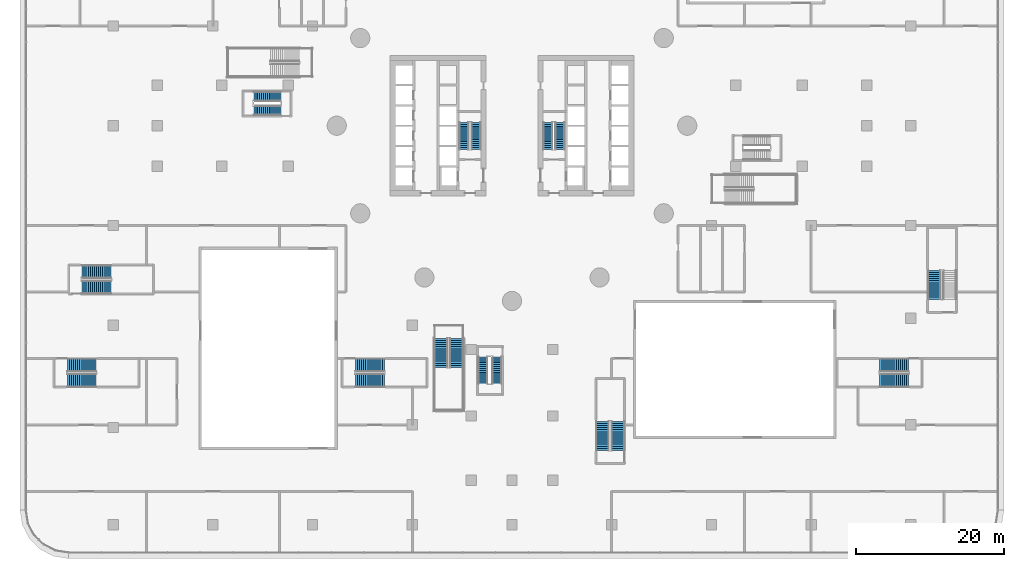
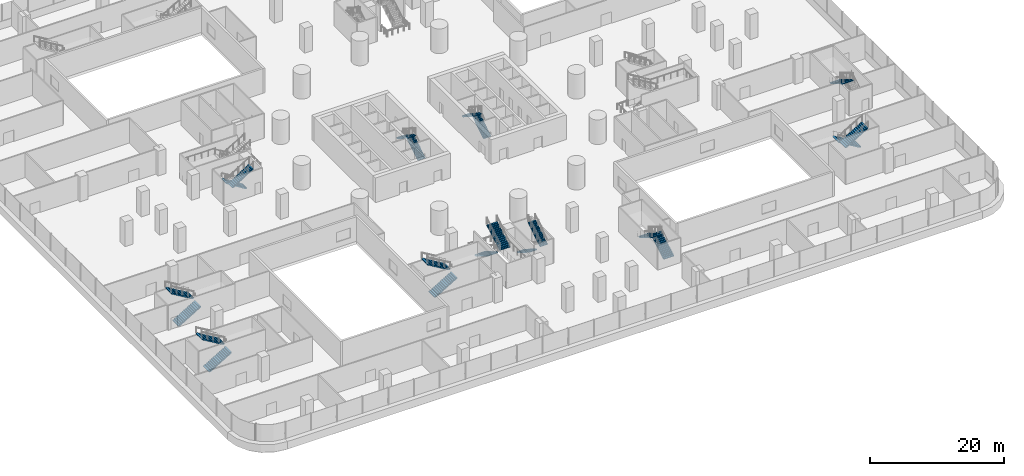
# One storey, part 31 of 44: 21 stair flights, 11 elements without a shape of their own.
"""IFC4 building model written with IfcOpenShell, lengths in metres."""

import ifcopenshell
import ifcopenshell.guid

model = None  # the IFC model being written
_history = None  # IfcOwnerHistory: only IFC2X3 demands one
_inside = {}  # id of a spatial element -> (the spatial element, [elements in it])
_under = {}  # id of a project, library or spatial element -> (it, [spatial elements below it])
_declared = {}  # id of a project -> (the project, [libraries it declares])
_typed = {}  # id of a type object -> (the type object, [elements of that type])
_made_of = {}  # id of a material, layer set ... -> (it, [elements and type objects made of it])


def new_model(schema):
    """Start an empty IFC model of exactly this schema.

    Asked for "IFC4X3", IfcOpenShell would pick the latest addendum, in which some entities
    have other attributes; the version numbers below select the first issue.
    IFC2X3 requires an IfcOwnerHistory on every rooted entity: one is made here for all.
    """
    global model, _history
    if schema == "IFC4X3":
        model = ifcopenshell.file(schema_version=(4, 3, 0, 0))
    else:
        model = ifcopenshell.file(schema=schema)
    _inside.clear()
    _under.clear()
    _declared.clear()
    _typed.clear()
    _made_of.clear()
    _history = None
    if model.schema == "IFC2X3":
        org = make("IfcOrganization", Name="unknown")
        user = make(
            "IfcPersonAndOrganization",
            ThePerson=make("IfcPerson", FamilyName="unknown"),
            TheOrganization=org,
        )
        app = make(
            "IfcApplication",
            ApplicationDeveloper=org,
            Version="unknown",
            ApplicationFullName="unknown",
            ApplicationIdentifier="unknown",
        )
        _history = make(
            "IfcOwnerHistory",
            OwningUser=user,
            OwningApplication=app,
            ChangeAction="ADDED",
            CreationDate=0,
        )
    return model


def make(cls, **values):
    """One entity of the class cls with the attributes given. An attribute that is None is left unset."""
    return model.create_entity(
        cls, **{name: value for name, value in values.items() if value is not None}
    )


def rooted(cls, **values):
    """An entity with a GlobalId (a new one), such as an element, a storey or a relation."""
    return make(cls, GlobalId=ifcopenshell.guid.new(), OwnerHistory=_history, **values)


def si_unit(unit_type, name, prefix=None):
    """IfcSIUnit, for example si_unit("LENGTHUNIT", "METRE", prefix="MILLI")."""
    return make("IfcSIUnit", UnitType=unit_type, Prefix=prefix, Name=name)


def assignment(units):
    """IfcUnitAssignment: the units of a project."""
    return None if units is None else make("IfcUnitAssignment", Units=units)


def point(xyz):
    """IfcCartesianPoint."""
    return None if xyz is None else make("IfcCartesianPoint", Coordinates=xyz)


def direction(xyz):
    """IfcDirection."""
    return None if xyz is None else make("IfcDirection", DirectionRatios=xyz)


def frame(location, z_axis=None, x_axis=None):
    """IfcAxis2Placement3D, a coordinate frame: its origin and axes. An axis left out is left unset."""
    return make(
        "IfcAxis2Placement3D",
        Location=point(location),
        Axis=direction(z_axis),
        RefDirection=direction(x_axis),
    )


def origin():
    """The frame at (0, 0, 0) with its axes left unset."""
    return frame((0.0, 0.0, 0.0))


def place(relative_to, where):
    """IfcLocalPlacement: puts the frame where relative to a parent placement (None: the world)."""
    return make(
        "IfcLocalPlacement", PlacementRelTo=relative_to, RelativePlacement=where
    )


def context(
    kind, dimensions, precision=None, world=None, true_north=None, identifier=None
):
    """IfcGeometricRepresentationContext, for example the 3D "Model" context."""
    return make(
        "IfcGeometricRepresentationContext",
        ContextIdentifier=identifier,
        ContextType=kind,
        CoordinateSpaceDimension=dimensions,
        Precision=precision,
        WorldCoordinateSystem=world,
        TrueNorth=true_north,
    )


def subcontext(parent, identifier, kind, view, scale=None):
    """IfcGeometricRepresentationSubContext, for example "Body" below "Model"."""
    return make(
        "IfcGeometricRepresentationSubContext",
        ContextIdentifier=identifier,
        ContextType=kind,
        ParentContext=parent,
        TargetScale=scale,
        TargetView=view,
    )


def project(units=None, contexts=None):
    """IfcProject with its units and contexts."""
    return rooted(
        "IfcProject",
        Name="project",
        RepresentationContexts=contexts,
        UnitsInContext=assignment(units),
    )


def spatial(cls, under=None, at=None, **own):
    """A site, building, storey or space (cls), placed at a placement, below another one or the project."""
    s = rooted(cls, ObjectPlacement=at, **own)
    if under is not None:
        _under.setdefault(under.id(), (under, []))[1].append(s)
    return s


def polyline(points):
    """IfcPolyline through the points."""
    return make("IfcPolyline", Points=[point(p) for p in points])


def outline(outer, holes=None, kind="AREA"):
    """IfcArbitraryClosedProfileDef: a profile drawn as a closed curve; with holes, ...WithVoids."""
    if holes is None:
        return make("IfcArbitraryClosedProfileDef", ProfileType=kind, OuterCurve=outer)
    return make(
        "IfcArbitraryProfileDefWithVoids",
        ProfileType=kind,
        OuterCurve=outer,
        InnerCurves=holes,
    )


def extrude(swept, where, along, depth):
    """IfcExtrudedAreaSolid: the profile swept, set in the frame where, extruded along a direction by depth."""
    return make(
        "IfcExtrudedAreaSolid",
        SweptArea=swept,
        Position=where,
        ExtrudedDirection=direction(along),
        Depth=depth,
    )


def shape(context_of_items, identifier, shape_type, items):
    """IfcShapeRepresentation: the items that make up one representation, for example the "Body"."""
    return make(
        "IfcShapeRepresentation",
        ContextOfItems=context_of_items,
        RepresentationIdentifier=identifier,
        RepresentationType=shape_type,
        Items=items,
    )


def material(Name=None, Category=None):
    """IfcMaterial."""
    return make("IfcMaterial", Name=Name, Category=Category)


def made_of(thing, what):
    """Note that an element or type object is made of a material, layer set ...; save() writes the relation."""
    if what is not None:
        _made_of.setdefault(what.id(), (what, []))[1].append(thing)
    return thing


def type_object(cls, material=None, **own):
    """A type object (cls), such as IfcWallType, which elements share."""
    return made_of(rooted(cls, **own), material)


def element(
    cls,
    number,
    at=None,
    inside=None,
    cuts=None,
    type_object=None,
    material=None,
    context=None,
    identifier="Body",
    shape_type=None,
    held_by="IfcProductDefinitionShape",
    body=None,
    shapes=None,
    **own,
):
    """One element of the class cls, such as IfcWall. Its Tag is "e" and its number.

    at: its placement. inside: the storey or other place that contains it. cuts: it is an
    opening in that element (IfcRelVoidsElement). A single representation is given by context,
    identifier, shape_type and body (its items); several are given by shapes. held_by: the class
    of the entity that holds the representations. save() writes the other relations.
    """
    e = rooted(cls, Tag="e%d" % number, ObjectPlacement=at, **own)
    if body is not None:
        shapes = [shape(context, identifier, shape_type, body)]
    if shapes is not None:
        e.Representation = make(held_by, Representations=shapes)
    if inside is not None:
        _inside.setdefault(inside.id(), (inside, []))[1].append(e)
    if cuts is not None:
        rooted(
            "IfcRelVoidsElement", RelatingBuildingElement=cuts, RelatedOpeningElement=e
        )
    if type_object is not None:
        _typed.setdefault(type_object.id(), (type_object, []))[1].append(e)
    return made_of(e, material)


def aggregate(whole, parts):
    """IfcRelAggregates: a whole, such as a stair, and the parts it consists of."""
    return rooted("IfcRelAggregates", RelatingObject=whole, RelatedObjects=parts)


def save(model, path):
    """Write the relations noted so far, then the file.

    IfcRelAggregates (storeys below a building ...), IfcRelContainedInSpatialStructure (elements
    in a storey), IfcRelDefinesByType, IfcRelAssociatesMaterial and IfcRelDeclares: one each for
    every whole, place, type object, material and project.
    """
    for whole, parts in _under.values():
        aggregate(whole, parts)
    for where, things in _inside.values():
        rooted(
            "IfcRelContainedInSpatialStructure",
            RelatedElements=things,
            RelatingStructure=where,
        )
    for kind, things in _typed.values():
        rooted("IfcRelDefinesByType", RelatedObjects=things, RelatingType=kind)
    for what, things in _made_of.values():
        rooted("IfcRelAssociatesMaterial", RelatedObjects=things, RelatingMaterial=what)
    for by, libraries in _declared.values():
        rooted("IfcRelDeclares", RelatingContext=by, RelatedDefinitions=libraries)
    model.write(path)


model = new_model("IFC4")

# Units and contexts
model_context = context("Model", 3, precision=1e-05, world=origin(), true_north=direction((0.0, 1.0)))
body_context = subcontext(model_context, "Body", "Model", "MODEL_VIEW")
ifc_project = project(units=[si_unit("LENGTHUNIT", "METRE"), si_unit("AREAUNIT", "SQUARE_METRE"), si_unit("VOLUMEUNIT", "CUBIC_METRE"), si_unit("PLANEANGLEUNIT", "RADIAN"), si_unit("MASSUNIT", "GRAM", prefix="KILO")], contexts=[model_context])

# Site, building, storey
site_placement = place(None, origin())
site = spatial("IfcSite", under=ifc_project, at=site_placement, CompositionType="ELEMENT")
building_placement = place(site_placement, origin())
building = spatial("IfcBuilding", under=site, at=building_placement, Name="Tamarind Cross Interchange Tower", CompositionType="ELEMENT")
storey_placement = place(building_placement, frame((0.0, 0.0, 15.0)))
storey = spatial("IfcBuildingStorey", under=building, at=storey_placement, Name="L02", CompositionType="ELEMENT", Elevation=15.0)

# Stair, stair flights
ifc_material_1 = material(Name="Exit stair")
stair_type_1 = type_object("IfcStairType", Name="Exit stair", PredefinedType="HALF_TURN_STAIR", material=ifc_material_1)
stair_1_placement = place(storey_placement, origin())
stair_1 = element("IfcStair", 1, at=stair_1_placement, inside=storey, type_object=stair_type_1, Name="L02 exit stair ST1", PredefinedType="HALF_TURN_STAIR")
ifc_material_2 = material(Name="Exit stair flight")
stair_flight_type_1 = type_object("IfcStairFlightType", Name="Exit stair flight", PredefinedType="STRAIGHT", material=ifc_material_2)
stair_flight_1_placement = place(storey_placement, frame((-4.85009765625, -3.199951171875, 0.0), z_axis=(0.0, 0.0, 1.0), x_axis=(0.0, 1.0, 0.0)))
stair_flight_1 = element("IfcStairFlight", 2, at=stair_flight_1_placement, type_object=stair_flight_type_1, Name="ST1 flight 1", NumberOfRisers=15, NumberOfTreads=14, PredefinedType="STRAIGHT", RiserHeight=0.166666667, TreadLength=0.26, context=body_context, shape_type="SweptSolid", body=[
    extrude(outline(polyline([(0.0, 0.0), (0.0, 0.166748046875), (0.260009765625, 0.166748046875), (0.260009765625, 0.333251953125), (0.52001953125, 0.333251953125), (0.52001953125, 0.5), (0.780029296875, 0.5), (0.780029296875, 0.666748046875), (1.0400390625, 0.666748046875), (1.0400390625, 0.833251953125), (1.300048828125, 0.833251953125), (1.300048828125, 1.0), (1.56005859375, 1.0), (1.56005859375, 1.166748046875), (1.820068359375, 1.166748046875), (1.820068359375, 1.333251953125), (2.080078125, 1.333251953125), (2.080078125, 1.5), (2.340087890625, 1.5), (2.340087890625, 1.666748046875), (2.60009765625, 1.666748046875), (2.60009765625, 1.833251953125), (2.860107421875, 1.833251953125), (2.860107421875, 2.0), (3.1201171875, 2.0), (3.1201171875, 2.166748046875), (3.3798828125, 2.166748046875), (3.3798828125, 2.333251953125), (3.639892578125, 2.333251953125), (3.639892578125, 2.5), (3.639892578125, 2.1552734375), (0.27783203125, 0.0), (0.0, 0.0)])), frame((0.0, 0.64990234375, 0.0), z_axis=(0.0, -1.0, 0.0), x_axis=(1.0, 0.0, 0.0)), (0.0, 0.0, 1.0), 1.300048828125),
])
stair_flight_2_placement = place(storey_placement, frame((-6.5, 0.43994140625, 2.5), z_axis=(0.0, 0.0, 1.0), x_axis=(0.0, -1.0, 0.0)))
stair_flight_2 = element("IfcStairFlight", 3, at=stair_flight_2_placement, type_object=stair_flight_type_1, Name="ST1 flight 2", NumberOfRisers=15, NumberOfTreads=14, PredefinedType="STRAIGHT", RiserHeight=0.166666667, TreadLength=0.26, context=body_context, shape_type="SweptSolid", body=[
    extrude(outline(polyline([(0.0, 0.0), (0.0, 0.166748046875), (0.260009765625, 0.166748046875), (0.260009765625, 0.333251953125), (0.52001953125, 0.333251953125), (0.52001953125, 0.5), (0.780029296875, 0.5), (0.780029296875, 0.666748046875), (1.0400390625, 0.666748046875), (1.0400390625, 0.833251953125), (1.300048828125, 0.833251953125), (1.300048828125, 1.0), (1.56005859375, 1.0), (1.56005859375, 1.166748046875), (1.820068359375, 1.166748046875), (1.820068359375, 1.333251953125), (2.080078125, 1.333251953125), (2.080078125, 1.5), (2.340087890625, 1.5), (2.340087890625, 1.666748046875), (2.60009765625, 1.666748046875), (2.60009765625, 1.833251953125), (2.860107421875, 1.833251953125), (2.860107421875, 2.0), (3.1201171875, 2.0), (3.1201171875, 2.166748046875), (3.3798828125, 2.166748046875), (3.3798828125, 2.333251953125), (3.639892578125, 2.333251953125), (3.639892578125, 2.5), (3.639892578125, 2.1552734375), (0.27783203125, 0.0), (0.0, 0.0)])), frame((0.0, 0.64990234375, 0.0), z_axis=(0.0, -1.0, 0.0), x_axis=(1.0, 0.0, 0.0)), (0.0, 0.0, 1.0), 1.300048828125),
])
aggregate(stair_1, [stair_flight_1, stair_flight_2])

stair_2_placement = place(storey_placement, origin())
stair_2 = element("IfcStair", 4, at=stair_2_placement, inside=storey, type_object=stair_type_1, Name="L02 exit stair ST2", PredefinedType="HALF_TURN_STAIR")
stair_flight_3_placement = place(storey_placement, frame((6.5, -3.199951171875, 0.0), z_axis=(0.0, 0.0, 1.0), x_axis=(0.0, 1.0, 0.0)))
stair_flight_3 = element("IfcStairFlight", 5, at=stair_flight_3_placement, type_object=stair_flight_type_1, Name="ST2 flight 1", NumberOfRisers=15, NumberOfTreads=14, PredefinedType="STRAIGHT", RiserHeight=0.166666667, TreadLength=0.26, context=body_context, shape_type="SweptSolid", body=[
    extrude(outline(polyline([(0.0, 0.0), (0.0, 0.166748046875), (0.260009765625, 0.166748046875), (0.260009765625, 0.333251953125), (0.52001953125, 0.333251953125), (0.52001953125, 0.5), (0.780029296875, 0.5), (0.780029296875, 0.666748046875), (1.0400390625, 0.666748046875), (1.0400390625, 0.833251953125), (1.300048828125, 0.833251953125), (1.300048828125, 1.0), (1.56005859375, 1.0), (1.56005859375, 1.166748046875), (1.820068359375, 1.166748046875), (1.820068359375, 1.333251953125), (2.080078125, 1.333251953125), (2.080078125, 1.5), (2.340087890625, 1.5), (2.340087890625, 1.666748046875), (2.60009765625, 1.666748046875), (2.60009765625, 1.833251953125), (2.860107421875, 1.833251953125), (2.860107421875, 2.0), (3.1201171875, 2.0), (3.1201171875, 2.166748046875), (3.3798828125, 2.166748046875), (3.3798828125, 2.333251953125), (3.639892578125, 2.333251953125), (3.639892578125, 2.5), (3.639892578125, 2.1552734375), (0.27783203125, 0.0), (0.0, 0.0)])), frame((0.0, 0.64990234375, 0.0), z_axis=(0.0, -1.0, 0.0), x_axis=(1.0, 0.0, 0.0)), (0.0, 0.0, 1.0), 1.300048828125),
])
stair_flight_4_placement = place(storey_placement, frame((4.85009765625, 0.43994140625, 2.5), z_axis=(0.0, 0.0, 1.0), x_axis=(0.0, -1.0, 0.0)))
stair_flight_4 = element("IfcStairFlight", 6, at=stair_flight_4_placement, type_object=stair_flight_type_1, Name="ST2 flight 2", NumberOfRisers=15, NumberOfTreads=14, PredefinedType="STRAIGHT", RiserHeight=0.166666667, TreadLength=0.26, context=body_context, shape_type="SweptSolid", body=[
    extrude(outline(polyline([(0.0, 0.0), (0.0, 0.166748046875), (0.260009765625, 0.166748046875), (0.260009765625, 0.333251953125), (0.52001953125, 0.333251953125), (0.52001953125, 0.5), (0.780029296875, 0.5), (0.780029296875, 0.666748046875), (1.0400390625, 0.666748046875), (1.0400390625, 0.833251953125), (1.300048828125, 0.833251953125), (1.300048828125, 1.0), (1.56005859375, 1.0), (1.56005859375, 1.166748046875), (1.820068359375, 1.166748046875), (1.820068359375, 1.333251953125), (2.080078125, 1.333251953125), (2.080078125, 1.5), (2.340087890625, 1.5), (2.340087890625, 1.666748046875), (2.60009765625, 1.666748046875), (2.60009765625, 1.833251953125), (2.860107421875, 1.833251953125), (2.860107421875, 2.0), (3.1201171875, 2.0), (3.1201171875, 2.166748046875), (3.3798828125, 2.166748046875), (3.3798828125, 2.333251953125), (3.639892578125, 2.333251953125), (3.639892578125, 2.5), (3.639892578125, 2.1552734375), (0.27783203125, 0.0), (0.0, 0.0)])), frame((0.0, 0.64990234375, 0.0), z_axis=(0.0, -1.0, 0.0), x_axis=(1.0, 0.0, 0.0)), (0.0, 0.0, 1.0), 1.300048828125),
])
aggregate(stair_2, [stair_flight_3, stair_flight_4])

stair_3_placement = place(storey_placement, origin())
stair_3 = element("IfcStair", 7, at=stair_3_placement, inside=storey, type_object=stair_type_1, Name="L02 exit stair ST5", PredefinedType="HALF_TURN_STAIR")
stair_flight_5_placement = place(storey_placement, frame((-31.300048828125, 3.949951171875, 0.0), z_axis=(0.0, 0.0, 1.0), x_axis=(-1.0, 0.0, 0.0)))
stair_flight_5 = element("IfcStairFlight", 8, at=stair_flight_5_placement, type_object=stair_flight_type_1, Name="ST5 flight 1", NumberOfRisers=15, NumberOfTreads=14, PredefinedType="STRAIGHT", RiserHeight=0.166666667, TreadLength=0.26, context=body_context, shape_type="SweptSolid", body=[
    extrude(outline(polyline([(0.0, 0.0), (0.0, 0.166748046875), (0.260009765625, 0.166748046875), (0.260009765625, 0.333251953125), (0.52001953125, 0.333251953125), (0.52001953125, 0.5), (0.780029296875, 0.5), (0.780029296875, 0.666748046875), (1.0400390625, 0.666748046875), (1.0400390625, 0.833251953125), (1.300048828125, 0.833251953125), (1.300048828125, 1.0), (1.56005859375, 1.0), (1.56005859375, 1.166748046875), (1.820068359375, 1.166748046875), (1.820068359375, 1.333251953125), (2.080078125, 1.333251953125), (2.080078125, 1.5), (2.340087890625, 1.5), (2.340087890625, 1.666748046875), (2.60009765625, 1.666748046875), (2.60009765625, 1.833251953125), (2.860107421875, 1.833251953125), (2.860107421875, 2.0), (3.1201171875, 2.0), (3.1201171875, 2.166748046875), (3.3798828125, 2.166748046875), (3.3798828125, 2.333251953125), (3.639892578125, 2.333251953125), (3.639892578125, 2.5), (3.639892578125, 2.1552734375), (0.27783203125, 0.0), (0.0, 0.0)])), frame((0.0, 0.64990234375, 0.0), z_axis=(0.0, -1.0, 0.0), x_axis=(1.0, 0.0, 0.0)), (0.0, 0.0, 1.0), 1.300048828125),
])
stair_flight_6_placement = place(storey_placement, frame((-34.93994140625, 2.050048828125, 2.5), z_axis=(0.0, 0.0, 1.0), x_axis=(1.0, 0.0, 0.0)))
stair_flight_6 = element("IfcStairFlight", 9, at=stair_flight_6_placement, type_object=stair_flight_type_1, Name="ST5 flight 2", NumberOfRisers=15, NumberOfTreads=14, PredefinedType="STRAIGHT", RiserHeight=0.166666667, TreadLength=0.26, context=body_context, shape_type="SweptSolid", body=[
    extrude(outline(polyline([(0.0, 0.0), (0.0, 0.166748046875), (0.260009765625, 0.166748046875), (0.260009765625, 0.333251953125), (0.52001953125, 0.333251953125), (0.52001953125, 0.5), (0.780029296875, 0.5), (0.780029296875, 0.666748046875), (1.0400390625, 0.666748046875), (1.0400390625, 0.833251953125), (1.300048828125, 0.833251953125), (1.300048828125, 1.0), (1.56005859375, 1.0), (1.56005859375, 1.166748046875), (1.820068359375, 1.166748046875), (1.820068359375, 1.333251953125), (2.080078125, 1.333251953125), (2.080078125, 1.5), (2.340087890625, 1.5), (2.340087890625, 1.666748046875), (2.60009765625, 1.666748046875), (2.60009765625, 1.833251953125), (2.860107421875, 1.833251953125), (2.860107421875, 2.0), (3.1201171875, 2.0), (3.1201171875, 2.166748046875), (3.3798828125, 2.166748046875), (3.3798828125, 2.333251953125), (3.639892578125, 2.333251953125), (3.639892578125, 2.5), (3.639892578125, 2.1552734375), (0.27783203125, 0.0), (0.0, 0.0)])), frame((0.0, 0.64990234375, 0.0), z_axis=(0.0, -1.0, 0.0), x_axis=(1.0, 0.0, 0.0)), (0.0, 0.0, 1.0), 1.300048828125),
])
aggregate(stair_3, [stair_flight_5, stair_flight_6])

stair_4_placement = place(storey_placement, origin())
stair_4 = element("IfcStair", 10, at=stair_4_placement, inside=storey, type_object=stair_type_1, Name="L02 exit stair ST6", PredefinedType="HALF_TURN_STAIR")
stair_flight_7_placement = place(storey_placement, frame((-3.949951171875, -31.300048828125, 0.0), z_axis=(0.0, 0.0, 1.0), x_axis=(0.0, -1.0, 0.0)))
stair_flight_7 = element("IfcStairFlight", 11, at=stair_flight_7_placement, type_object=stair_flight_type_1, Name="ST6 flight 1", NumberOfRisers=15, NumberOfTreads=14, PredefinedType="STRAIGHT", RiserHeight=0.166666667, TreadLength=0.26, context=body_context, shape_type="SweptSolid", body=[
    extrude(outline(polyline([(0.0, 0.0), (0.0, 0.166748046875), (0.260009765625, 0.166748046875), (0.260009765625, 0.333251953125), (0.52001953125, 0.333251953125), (0.52001953125, 0.5), (0.780029296875, 0.5), (0.780029296875, 0.666748046875), (1.0400390625, 0.666748046875), (1.0400390625, 0.833251953125), (1.300048828125, 0.833251953125), (1.300048828125, 1.0), (1.56005859375, 1.0), (1.56005859375, 1.166748046875), (1.820068359375, 1.166748046875), (1.820068359375, 1.333251953125), (2.080078125, 1.333251953125), (2.080078125, 1.5), (2.340087890625, 1.5), (2.340087890625, 1.666748046875), (2.60009765625, 1.666748046875), (2.60009765625, 1.833251953125), (2.860107421875, 1.833251953125), (2.860107421875, 2.0), (3.1201171875, 2.0), (3.1201171875, 2.166748046875), (3.3798828125, 2.166748046875), (3.3798828125, 2.333251953125), (3.639892578125, 2.333251953125), (3.639892578125, 2.5), (3.639892578125, 2.1552734375), (0.27783203125, 0.0), (0.0, 0.0)])), frame((0.0, 0.64990234375, 0.0), z_axis=(0.0, -1.0, 0.0), x_axis=(1.0, 0.0, 0.0)), (0.0, 0.0, 1.0), 1.300048828125),
])
stair_flight_8_placement = place(storey_placement, frame((-2.050048828125, -34.93994140625, 2.5), z_axis=(0.0, 0.0, 1.0), x_axis=(0.0, 1.0, 0.0)))
stair_flight_8 = element("IfcStairFlight", 12, at=stair_flight_8_placement, type_object=stair_flight_type_1, Name="ST6 flight 2", NumberOfRisers=15, NumberOfTreads=14, PredefinedType="STRAIGHT", RiserHeight=0.166666667, TreadLength=0.26, context=body_context, shape_type="SweptSolid", body=[
    extrude(outline(polyline([(0.0, 0.0), (0.0, 0.166748046875), (0.260009765625, 0.166748046875), (0.260009765625, 0.333251953125), (0.52001953125, 0.333251953125), (0.52001953125, 0.5), (0.780029296875, 0.5), (0.780029296875, 0.666748046875), (1.0400390625, 0.666748046875), (1.0400390625, 0.833251953125), (1.300048828125, 0.833251953125), (1.300048828125, 1.0), (1.56005859375, 1.0), (1.56005859375, 1.166748046875), (1.820068359375, 1.166748046875), (1.820068359375, 1.333251953125), (2.080078125, 1.333251953125), (2.080078125, 1.5), (2.340087890625, 1.5), (2.340087890625, 1.666748046875), (2.60009765625, 1.666748046875), (2.60009765625, 1.833251953125), (2.860107421875, 1.833251953125), (2.860107421875, 2.0), (3.1201171875, 2.0), (3.1201171875, 2.166748046875), (3.3798828125, 2.166748046875), (3.3798828125, 2.333251953125), (3.639892578125, 2.333251953125), (3.639892578125, 2.5), (3.639892578125, 2.1552734375), (0.27783203125, 0.0), (0.0, 0.0)])), frame((0.0, 0.64990234375, 0.0), z_axis=(0.0, -1.0, 0.0), x_axis=(1.0, 0.0, 0.0)), (0.0, 0.0, 1.0), 1.300048828125),
])
aggregate(stair_4, [stair_flight_7, stair_flight_8])

ifc_material_3 = material(Name="Public stair")
stair_type_2 = type_object("IfcStairType", Name="Public stair", PredefinedType="HALF_TURN_STAIR", material=ifc_material_3)
stair_5_placement = place(storey_placement, origin())
stair_5 = element("IfcStair", 13, at=stair_5_placement, inside=storey, type_object=stair_type_2, Name="L02 public stair PS-S", PredefinedType="HALF_TURN_STAIR")
ifc_material_4 = material(Name="Public stair flight")
stair_flight_type_2 = type_object("IfcStairFlightType", Name="Public stair flight", PredefinedType="STRAIGHT", material=ifc_material_4)
stair_flight_9_placement = place(storey_placement, frame((-9.60009765625, -28.800048828125, 0.0), z_axis=(0.0, 0.0, 1.0), x_axis=(0.0, -1.0, 0.0)))
stair_flight_9 = element("IfcStairFlight", 14, at=stair_flight_9_placement, type_object=stair_flight_type_2, Name="PS-S flight 1", NumberOfRisers=15, NumberOfTreads=14, PredefinedType="STRAIGHT", RiserHeight=0.166666667, TreadLength=0.28, context=body_context, shape_type="SweptSolid", body=[
    extrude(outline(polyline([(0.0, 0.0), (0.0, 0.166748046875), (0.280029296875, 0.166748046875), (0.280029296875, 0.333251953125), (0.56005859375, 0.333251953125), (0.56005859375, 0.5), (0.840087890625, 0.5), (0.840087890625, 0.666748046875), (1.1201171875, 0.666748046875), (1.1201171875, 0.833251953125), (1.39990234375, 0.833251953125), (1.39990234375, 1.0), (1.679931640625, 1.0), (1.679931640625, 1.166748046875), (1.9599609375, 1.166748046875), (1.9599609375, 1.333251953125), (2.239990234375, 1.333251953125), (2.239990234375, 1.5), (2.52001953125, 1.5), (2.52001953125, 1.666748046875), (2.800048828125, 1.666748046875), (2.800048828125, 1.833251953125), (3.080078125, 1.833251953125), (3.080078125, 2.0), (3.360107421875, 2.0), (3.360107421875, 2.166748046875), (3.639892578125, 2.166748046875), (3.639892578125, 2.333251953125), (3.919921875, 2.333251953125), (3.919921875, 2.5), (3.919921875, 2.158935546875), (0.29296875, 0.0), (0.0, 0.0)])), frame((0.0, 0.89990234375, 0.0), z_axis=(0.0, -1.0, 0.0), x_axis=(1.0, 0.0, 0.0)), (0.0, 0.0, 1.0), 1.800048828125),
])
stair_flight_10_placement = place(storey_placement, frame((-7.5, -32.719970703125, 2.5), z_axis=(0.0, 0.0, 1.0), x_axis=(0.0, 1.0, 0.0)))
stair_flight_10 = element("IfcStairFlight", 15, at=stair_flight_10_placement, type_object=stair_flight_type_2, Name="PS-S flight 2", NumberOfRisers=15, NumberOfTreads=14, PredefinedType="STRAIGHT", RiserHeight=0.166666667, TreadLength=0.28, context=body_context, shape_type="SweptSolid", body=[
    extrude(outline(polyline([(0.0, 0.0), (0.0, 0.166748046875), (0.280029296875, 0.166748046875), (0.280029296875, 0.333251953125), (0.56005859375, 0.333251953125), (0.56005859375, 0.5), (0.840087890625, 0.5), (0.840087890625, 0.666748046875), (1.1201171875, 0.666748046875), (1.1201171875, 0.833251953125), (1.39990234375, 0.833251953125), (1.39990234375, 1.0), (1.679931640625, 1.0), (1.679931640625, 1.166748046875), (1.9599609375, 1.166748046875), (1.9599609375, 1.333251953125), (2.239990234375, 1.333251953125), (2.239990234375, 1.5), (2.52001953125, 1.5), (2.52001953125, 1.666748046875), (2.800048828125, 1.666748046875), (2.800048828125, 1.833251953125), (3.080078125, 1.833251953125), (3.080078125, 2.0), (3.360107421875, 2.0), (3.360107421875, 2.166748046875), (3.639892578125, 2.166748046875), (3.639892578125, 2.333251953125), (3.919921875, 2.333251953125), (3.919921875, 2.5), (3.919921875, 2.158935546875), (0.29296875, 0.0), (0.0, 0.0)])), frame((0.0, 0.89990234375, 0.0), z_axis=(0.0, -1.0, 0.0), x_axis=(1.0, 0.0, 0.0)), (0.0, 0.0, 1.0), 1.800048828125),
])
aggregate(stair_5, [stair_flight_9, stair_flight_10])

stair_6_placement = place(storey_placement, origin())
stair_6 = element("IfcStair", 16, at=stair_6_placement, inside=storey, type_object=stair_type_2, Name="L02 exit stair XS-P07", PredefinedType="HALF_TURN_STAIR")
stair_flight_11_placement = place(storey_placement, frame((-60.199951171875, -34.5, 0.0), z_axis=(0.0, 0.0, 1.0), x_axis=(1.0, 0.0, 0.0)))
stair_flight_11 = element("IfcStairFlight", 17, at=stair_flight_11_placement, type_object=stair_flight_type_2, Name="XS-P07 flight 1", NumberOfRisers=15, NumberOfTreads=14, PredefinedType="STRAIGHT", RiserHeight=0.166666667, TreadLength=0.28, context=body_context, shape_type="SweptSolid", body=[
    extrude(outline(polyline([(0.0, 0.0), (0.0, 0.166748046875), (0.280029296875, 0.166748046875), (0.280029296875, 0.333251953125), (0.56005859375, 0.333251953125), (0.56005859375, 0.5), (0.840087890625, 0.5), (0.840087890625, 0.666748046875), (1.1201171875, 0.666748046875), (1.1201171875, 0.833251953125), (1.39990234375, 0.833251953125), (1.39990234375, 1.0), (1.679931640625, 1.0), (1.679931640625, 1.166748046875), (1.9599609375, 1.166748046875), (1.9599609375, 1.333251953125), (2.239990234375, 1.333251953125), (2.239990234375, 1.5), (2.52001953125, 1.5), (2.52001953125, 1.666748046875), (2.800048828125, 1.666748046875), (2.800048828125, 1.833251953125), (3.080078125, 1.833251953125), (3.080078125, 2.0), (3.360107421875, 2.0), (3.360107421875, 2.166748046875), (3.639892578125, 2.166748046875), (3.639892578125, 2.333251953125), (3.919921875, 2.333251953125), (3.919921875, 2.5), (3.919921875, 2.158935546875), (0.29296875, 0.0), (0.0, 0.0)])), frame((0.0, 0.89990234375, 0.0), z_axis=(0.0, -1.0, 0.0), x_axis=(1.0, 0.0, 0.0)), (0.0, 0.0, 1.0), 1.800048828125),
])
stair_flight_12_placement = place(storey_placement, frame((-56.280029296875, -32.39990234375, 2.5), z_axis=(0.0, 0.0, 1.0), x_axis=(-1.0, 0.0, 0.0)))
stair_flight_12 = element("IfcStairFlight", 18, at=stair_flight_12_placement, type_object=stair_flight_type_2, Name="XS-P07 flight 2", NumberOfRisers=15, NumberOfTreads=14, PredefinedType="STRAIGHT", RiserHeight=0.166666667, TreadLength=0.28, context=body_context, shape_type="SweptSolid", body=[
    extrude(outline(polyline([(0.0, 0.0), (0.0, 0.166748046875), (0.280029296875, 0.166748046875), (0.280029296875, 0.333251953125), (0.56005859375, 0.333251953125), (0.56005859375, 0.5), (0.840087890625, 0.5), (0.840087890625, 0.666748046875), (1.1201171875, 0.666748046875), (1.1201171875, 0.833251953125), (1.39990234375, 0.833251953125), (1.39990234375, 1.0), (1.679931640625, 1.0), (1.679931640625, 1.166748046875), (1.9599609375, 1.166748046875), (1.9599609375, 1.333251953125), (2.239990234375, 1.333251953125), (2.239990234375, 1.5), (2.52001953125, 1.5), (2.52001953125, 1.666748046875), (2.800048828125, 1.666748046875), (2.800048828125, 1.833251953125), (3.080078125, 1.833251953125), (3.080078125, 2.0), (3.360107421875, 2.0), (3.360107421875, 2.166748046875), (3.639892578125, 2.166748046875), (3.639892578125, 2.333251953125), (3.919921875, 2.333251953125), (3.919921875, 2.5), (3.919921875, 2.158935546875), (0.29296875, 0.0), (0.0, 0.0)])), frame((0.0, 0.89990234375, 0.0), z_axis=(0.0, -1.0, 0.0), x_axis=(1.0, 0.0, 0.0)), (0.0, 0.0, 1.0), 1.800048828125),
])
aggregate(stair_6, [stair_flight_11, stair_flight_12])

stair_7_placement = place(storey_placement, origin())
stair_7 = element("IfcStair", 19, at=stair_7_placement, inside=storey, type_object=stair_type_2, Name="L02 exit stair XS-P08", PredefinedType="HALF_TURN_STAIR")
stair_flight_13_placement = place(storey_placement, frame((-58.199951171875, -21.85009765625, 0.0), z_axis=(0.0, 0.0, 1.0), x_axis=(1.0, 0.0, 0.0)))
stair_flight_13 = element("IfcStairFlight", 20, at=stair_flight_13_placement, type_object=stair_flight_type_2, Name="XS-P08 flight 1", NumberOfRisers=15, NumberOfTreads=14, PredefinedType="STRAIGHT", RiserHeight=0.166666667, TreadLength=0.28, context=body_context, shape_type="SweptSolid", body=[
    extrude(outline(polyline([(0.0, 0.0), (0.0, 0.166748046875), (0.280029296875, 0.166748046875), (0.280029296875, 0.333251953125), (0.56005859375, 0.333251953125), (0.56005859375, 0.5), (0.840087890625, 0.5), (0.840087890625, 0.666748046875), (1.1201171875, 0.666748046875), (1.1201171875, 0.833251953125), (1.39990234375, 0.833251953125), (1.39990234375, 1.0), (1.679931640625, 1.0), (1.679931640625, 1.166748046875), (1.9599609375, 1.166748046875), (1.9599609375, 1.333251953125), (2.239990234375, 1.333251953125), (2.239990234375, 1.5), (2.52001953125, 1.5), (2.52001953125, 1.666748046875), (2.800048828125, 1.666748046875), (2.800048828125, 1.833251953125), (3.080078125, 1.833251953125), (3.080078125, 2.0), (3.360107421875, 2.0), (3.360107421875, 2.166748046875), (3.639892578125, 2.166748046875), (3.639892578125, 2.333251953125), (3.919921875, 2.333251953125), (3.919921875, 2.5), (3.919921875, 2.158935546875), (0.29296875, 0.0), (0.0, 0.0)])), frame((0.0, 0.89990234375, 0.0), z_axis=(0.0, -1.0, 0.0), x_axis=(1.0, 0.0, 0.0)), (0.0, 0.0, 1.0), 1.800048828125),
])
stair_flight_14_placement = place(storey_placement, frame((-54.280029296875, -19.75, 2.5), z_axis=(0.0, 0.0, 1.0), x_axis=(-1.0, 0.0, 0.0)))
stair_flight_14 = element("IfcStairFlight", 21, at=stair_flight_14_placement, type_object=stair_flight_type_2, Name="XS-P08 flight 2", NumberOfRisers=15, NumberOfTreads=14, PredefinedType="STRAIGHT", RiserHeight=0.166666667, TreadLength=0.28, context=body_context, shape_type="SweptSolid", body=[
    extrude(outline(polyline([(0.0, 0.0), (0.0, 0.166748046875), (0.280029296875, 0.166748046875), (0.280029296875, 0.333251953125), (0.56005859375, 0.333251953125), (0.56005859375, 0.5), (0.840087890625, 0.5), (0.840087890625, 0.666748046875), (1.1201171875, 0.666748046875), (1.1201171875, 0.833251953125), (1.39990234375, 0.833251953125), (1.39990234375, 1.0), (1.679931640625, 1.0), (1.679931640625, 1.166748046875), (1.9599609375, 1.166748046875), (1.9599609375, 1.333251953125), (2.239990234375, 1.333251953125), (2.239990234375, 1.5), (2.52001953125, 1.5), (2.52001953125, 1.666748046875), (2.800048828125, 1.666748046875), (2.800048828125, 1.833251953125), (3.080078125, 1.833251953125), (3.080078125, 2.0), (3.360107421875, 2.0), (3.360107421875, 2.166748046875), (3.639892578125, 2.166748046875), (3.639892578125, 2.333251953125), (3.919921875, 2.333251953125), (3.919921875, 2.5), (3.919921875, 2.158935546875), (0.29296875, 0.0), (0.0, 0.0)])), frame((0.0, 0.89990234375, 0.0), z_axis=(0.0, -1.0, 0.0), x_axis=(1.0, 0.0, 0.0)), (0.0, 0.0, 1.0), 1.800048828125),
])
aggregate(stair_7, [stair_flight_13, stair_flight_14])

stair_8_placement = place(storey_placement, origin())
stair_8 = element("IfcStair", 22, at=stair_8_placement, inside=storey, type_object=stair_type_2, Name="L02 exit stair XS-P09", PredefinedType="HALF_TURN_STAIR")
stair_flight_15_placement = place(storey_placement, frame((-21.199951171875, -34.5, 0.0), z_axis=(0.0, 0.0, 1.0), x_axis=(1.0, 0.0, 0.0)))
stair_flight_15 = element("IfcStairFlight", 23, at=stair_flight_15_placement, type_object=stair_flight_type_2, Name="XS-P09 flight 1", NumberOfRisers=15, NumberOfTreads=14, PredefinedType="STRAIGHT", RiserHeight=0.166666667, TreadLength=0.28, context=body_context, shape_type="SweptSolid", body=[
    extrude(outline(polyline([(0.0, 0.0), (0.0, 0.166748046875), (0.280029296875, 0.166748046875), (0.280029296875, 0.333251953125), (0.56005859375, 0.333251953125), (0.56005859375, 0.5), (0.840087890625, 0.5), (0.840087890625, 0.666748046875), (1.1201171875, 0.666748046875), (1.1201171875, 0.833251953125), (1.39990234375, 0.833251953125), (1.39990234375, 1.0), (1.679931640625, 1.0), (1.679931640625, 1.166748046875), (1.9599609375, 1.166748046875), (1.9599609375, 1.333251953125), (2.239990234375, 1.333251953125), (2.239990234375, 1.5), (2.52001953125, 1.5), (2.52001953125, 1.666748046875), (2.800048828125, 1.666748046875), (2.800048828125, 1.833251953125), (3.080078125, 1.833251953125), (3.080078125, 2.0), (3.360107421875, 2.0), (3.360107421875, 2.166748046875), (3.639892578125, 2.166748046875), (3.639892578125, 2.333251953125), (3.919921875, 2.333251953125), (3.919921875, 2.5), (3.919921875, 2.158935546875), (0.29296875, 0.0), (0.0, 0.0)])), frame((0.0, 0.89990234375, 0.0), z_axis=(0.0, -1.0, 0.0), x_axis=(1.0, 0.0, 0.0)), (0.0, 0.0, 1.0), 1.800048828125),
])
stair_flight_16_placement = place(storey_placement, frame((-17.280029296875, -32.39990234375, 2.5), z_axis=(0.0, 0.0, 1.0), x_axis=(-1.0, 0.0, 0.0)))
stair_flight_16 = element("IfcStairFlight", 24, at=stair_flight_16_placement, type_object=stair_flight_type_2, Name="XS-P09 flight 2", NumberOfRisers=15, NumberOfTreads=14, PredefinedType="STRAIGHT", RiserHeight=0.166666667, TreadLength=0.28, context=body_context, shape_type="SweptSolid", body=[
    extrude(outline(polyline([(0.0, 0.0), (0.0, 0.166748046875), (0.280029296875, 0.166748046875), (0.280029296875, 0.333251953125), (0.56005859375, 0.333251953125), (0.56005859375, 0.5), (0.840087890625, 0.5), (0.840087890625, 0.666748046875), (1.1201171875, 0.666748046875), (1.1201171875, 0.833251953125), (1.39990234375, 0.833251953125), (1.39990234375, 1.0), (1.679931640625, 1.0), (1.679931640625, 1.166748046875), (1.9599609375, 1.166748046875), (1.9599609375, 1.333251953125), (2.239990234375, 1.333251953125), (2.239990234375, 1.5), (2.52001953125, 1.5), (2.52001953125, 1.666748046875), (2.800048828125, 1.666748046875), (2.800048828125, 1.833251953125), (3.080078125, 1.833251953125), (3.080078125, 2.0), (3.360107421875, 2.0), (3.360107421875, 2.166748046875), (3.639892578125, 2.166748046875), (3.639892578125, 2.333251953125), (3.919921875, 2.333251953125), (3.919921875, 2.5), (3.919921875, 2.158935546875), (0.29296875, 0.0), (0.0, 0.0)])), frame((0.0, 0.89990234375, 0.0), z_axis=(0.0, -1.0, 0.0), x_axis=(1.0, 0.0, 0.0)), (0.0, 0.0, 1.0), 1.800048828125),
])
aggregate(stair_8, [stair_flight_15, stair_flight_16])

stair_9_placement = place(storey_placement, origin())
stair_9 = element("IfcStair", 25, at=stair_9_placement, inside=storey, type_object=stair_type_2, Name="L02 exit stair XS-P10", PredefinedType="HALF_TURN_STAIR")
stair_flight_17_placement = place(storey_placement, frame((53.699951171875, -32.39990234375, 0.0), z_axis=(0.0, 0.0, 1.0), x_axis=(-1.0, 0.0, 0.0)))
stair_flight_17 = element("IfcStairFlight", 26, at=stair_flight_17_placement, type_object=stair_flight_type_2, Name="XS-P10 flight 1", NumberOfRisers=15, NumberOfTreads=14, PredefinedType="STRAIGHT", RiserHeight=0.166666667, TreadLength=0.28, context=body_context, shape_type="SweptSolid", body=[
    extrude(outline(polyline([(0.0, 0.0), (0.0, 0.166748046875), (0.280029296875, 0.166748046875), (0.280029296875, 0.333251953125), (0.56005859375, 0.333251953125), (0.56005859375, 0.5), (0.840087890625, 0.5), (0.840087890625, 0.666748046875), (1.1201171875, 0.666748046875), (1.1201171875, 0.833251953125), (1.39990234375, 0.833251953125), (1.39990234375, 1.0), (1.679931640625, 1.0), (1.679931640625, 1.166748046875), (1.9599609375, 1.166748046875), (1.9599609375, 1.333251953125), (2.239990234375, 1.333251953125), (2.239990234375, 1.5), (2.52001953125, 1.5), (2.52001953125, 1.666748046875), (2.800048828125, 1.666748046875), (2.800048828125, 1.833251953125), (3.080078125, 1.833251953125), (3.080078125, 2.0), (3.360107421875, 2.0), (3.360107421875, 2.166748046875), (3.639892578125, 2.166748046875), (3.639892578125, 2.333251953125), (3.919921875, 2.333251953125), (3.919921875, 2.5), (3.919921875, 2.158935546875), (0.29296875, 0.0), (0.0, 0.0)])), frame((0.0, 0.89990234375, 0.0), z_axis=(0.0, -1.0, 0.0), x_axis=(1.0, 0.0, 0.0)), (0.0, 0.0, 1.0), 1.800048828125),
])
stair_flight_18_placement = place(storey_placement, frame((49.780029296875, -34.5, 2.5), z_axis=(0.0, 0.0, 1.0), x_axis=(1.0, 0.0, 0.0)))
stair_flight_18 = element("IfcStairFlight", 27, at=stair_flight_18_placement, type_object=stair_flight_type_2, Name="XS-P10 flight 2", NumberOfRisers=15, NumberOfTreads=14, PredefinedType="STRAIGHT", RiserHeight=0.166666667, TreadLength=0.28, context=body_context, shape_type="SweptSolid", body=[
    extrude(outline(polyline([(0.0, 0.0), (0.0, 0.166748046875), (0.280029296875, 0.166748046875), (0.280029296875, 0.333251953125), (0.56005859375, 0.333251953125), (0.56005859375, 0.5), (0.840087890625, 0.5), (0.840087890625, 0.666748046875), (1.1201171875, 0.666748046875), (1.1201171875, 0.833251953125), (1.39990234375, 0.833251953125), (1.39990234375, 1.0), (1.679931640625, 1.0), (1.679931640625, 1.166748046875), (1.9599609375, 1.166748046875), (1.9599609375, 1.333251953125), (2.239990234375, 1.333251953125), (2.239990234375, 1.5), (2.52001953125, 1.5), (2.52001953125, 1.666748046875), (2.800048828125, 1.666748046875), (2.800048828125, 1.833251953125), (3.080078125, 1.833251953125), (3.080078125, 2.0), (3.360107421875, 2.0), (3.360107421875, 2.166748046875), (3.639892578125, 2.166748046875), (3.639892578125, 2.333251953125), (3.919921875, 2.333251953125), (3.919921875, 2.5), (3.919921875, 2.158935546875), (0.29296875, 0.0), (0.0, 0.0)])), frame((0.0, 0.89990234375, 0.0), z_axis=(0.0, -1.0, 0.0), x_axis=(1.0, 0.0, 0.0)), (0.0, 0.0, 1.0), 1.800048828125),
])
aggregate(stair_9, [stair_flight_17, stair_flight_18])

# Stair, stair flight
stair_10_placement = place(storey_placement, origin())
stair_10 = element("IfcStair", 28, at=stair_10_placement, inside=storey, type_object=stair_type_2, Name="L02 exit stair XS-P11", PredefinedType="HALF_TURN_STAIR")
stair_flight_19_placement = place(storey_placement, frame((57.14990234375, -19.580078125, 2.5), z_axis=(0.0, 0.0, 1.0), x_axis=(0.0, -1.0, 0.0)))
stair_flight_19 = element("IfcStairFlight", 29, at=stair_flight_19_placement, type_object=stair_flight_type_2, Name="XS-P11 flight 2", NumberOfRisers=15, NumberOfTreads=14, PredefinedType="STRAIGHT", RiserHeight=0.166666667, TreadLength=0.28, context=body_context, shape_type="SweptSolid", body=[
    extrude(outline(polyline([(0.0, 0.0), (0.0, 0.166748046875), (0.280029296875, 0.166748046875), (0.280029296875, 0.333251953125), (0.56005859375, 0.333251953125), (0.56005859375, 0.5), (0.840087890625, 0.5), (0.840087890625, 0.666748046875), (1.1201171875, 0.666748046875), (1.1201171875, 0.833251953125), (1.39990234375, 0.833251953125), (1.39990234375, 1.0), (1.679931640625, 1.0), (1.679931640625, 1.166748046875), (1.9599609375, 1.166748046875), (1.9599609375, 1.333251953125), (2.239990234375, 1.333251953125), (2.239990234375, 1.5), (2.52001953125, 1.5), (2.52001953125, 1.666748046875), (2.800048828125, 1.666748046875), (2.800048828125, 1.833251953125), (3.080078125, 1.833251953125), (3.080078125, 2.0), (3.360107421875, 2.0), (3.360107421875, 2.166748046875), (3.639892578125, 2.166748046875), (3.639892578125, 2.333251953125), (3.919921875, 2.333251953125), (3.919921875, 2.5), (3.919921875, 2.158935546875), (0.29296875, 0.0), (0.0, 0.0)])), frame((0.0, 0.89990234375, 0.0), z_axis=(0.0, -1.0, 0.0), x_axis=(1.0, 0.0, 0.0)), (0.0, 0.0, 1.0), 1.800048828125),
])
aggregate(stair_10, [stair_flight_19])

# Stair, stair flights
stair_11_placement = place(storey_placement, origin())
stair_11 = element("IfcStair", 30, at=stair_11_placement, inside=storey, type_object=stair_type_2, Name="L02 exit stair XS-P12", PredefinedType="HALF_TURN_STAIR")
stair_flight_20_placement = place(storey_placement, frame((14.35009765625, -43.949951171875, 0.0), z_axis=(0.0, 0.0, 1.0), x_axis=(0.0, 1.0, 0.0)))
stair_flight_20 = element("IfcStairFlight", 31, at=stair_flight_20_placement, type_object=stair_flight_type_2, Name="XS-P12 flight 1", NumberOfRisers=15, NumberOfTreads=14, PredefinedType="STRAIGHT", RiserHeight=0.166666667, TreadLength=0.28, context=body_context, shape_type="SweptSolid", body=[
    extrude(outline(polyline([(0.0, 0.0), (0.0, 0.166748046875), (0.280029296875, 0.166748046875), (0.280029296875, 0.333251953125), (0.56005859375, 0.333251953125), (0.56005859375, 0.5), (0.840087890625, 0.5), (0.840087890625, 0.666748046875), (1.1201171875, 0.666748046875), (1.1201171875, 0.833251953125), (1.39990234375, 0.833251953125), (1.39990234375, 1.0), (1.679931640625, 1.0), (1.679931640625, 1.166748046875), (1.9599609375, 1.166748046875), (1.9599609375, 1.333251953125), (2.239990234375, 1.333251953125), (2.239990234375, 1.5), (2.52001953125, 1.5), (2.52001953125, 1.666748046875), (2.800048828125, 1.666748046875), (2.800048828125, 1.833251953125), (3.080078125, 1.833251953125), (3.080078125, 2.0), (3.360107421875, 2.0), (3.360107421875, 2.166748046875), (3.639892578125, 2.166748046875), (3.639892578125, 2.333251953125), (3.919921875, 2.333251953125), (3.919921875, 2.5), (3.919921875, 2.158935546875), (0.29296875, 0.0), (0.0, 0.0)])), frame((0.0, 0.89990234375, 0.0), z_axis=(0.0, -1.0, 0.0), x_axis=(1.0, 0.0, 0.0)), (0.0, 0.0, 1.0), 1.800048828125),
])
stair_flight_21_placement = place(storey_placement, frame((12.25, -40.030029296875, 2.5), z_axis=(0.0, 0.0, 1.0), x_axis=(0.0, -1.0, 0.0)))
stair_flight_21 = element("IfcStairFlight", 32, at=stair_flight_21_placement, type_object=stair_flight_type_2, Name="XS-P12 flight 2", NumberOfRisers=15, NumberOfTreads=14, PredefinedType="STRAIGHT", RiserHeight=0.166666667, TreadLength=0.28, context=body_context, shape_type="SweptSolid", body=[
    extrude(outline(polyline([(0.0, 0.0), (0.0, 0.166748046875), (0.280029296875, 0.166748046875), (0.280029296875, 0.333251953125), (0.56005859375, 0.333251953125), (0.56005859375, 0.5), (0.840087890625, 0.5), (0.840087890625, 0.666748046875), (1.1201171875, 0.666748046875), (1.1201171875, 0.833251953125), (1.39990234375, 0.833251953125), (1.39990234375, 1.0), (1.679931640625, 1.0), (1.679931640625, 1.166748046875), (1.9599609375, 1.166748046875), (1.9599609375, 1.333251953125), (2.239990234375, 1.333251953125), (2.239990234375, 1.5), (2.52001953125, 1.5), (2.52001953125, 1.666748046875), (2.800048828125, 1.666748046875), (2.800048828125, 1.833251953125), (3.080078125, 1.833251953125), (3.080078125, 2.0), (3.360107421875, 2.0), (3.360107421875, 2.166748046875), (3.639892578125, 2.166748046875), (3.639892578125, 2.333251953125), (3.919921875, 2.333251953125), (3.919921875, 2.5), (3.919921875, 2.158935546875), (0.29296875, 0.0), (0.0, 0.0)])), frame((0.0, 0.89990234375, 0.0), z_axis=(0.0, -1.0, 0.0), x_axis=(1.0, 0.0, 0.0)), (0.0, 0.0, 1.0), 1.800048828125),
])
aggregate(stair_11, [stair_flight_20, stair_flight_21])

save(model, "model.ifc")
